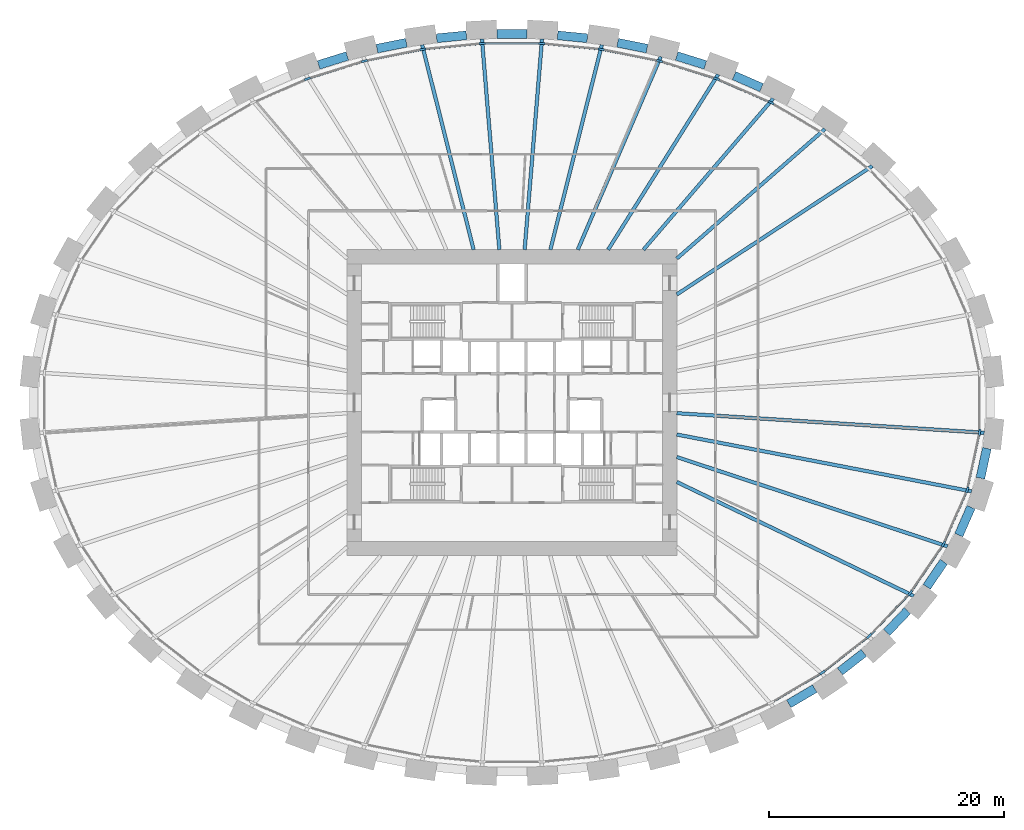
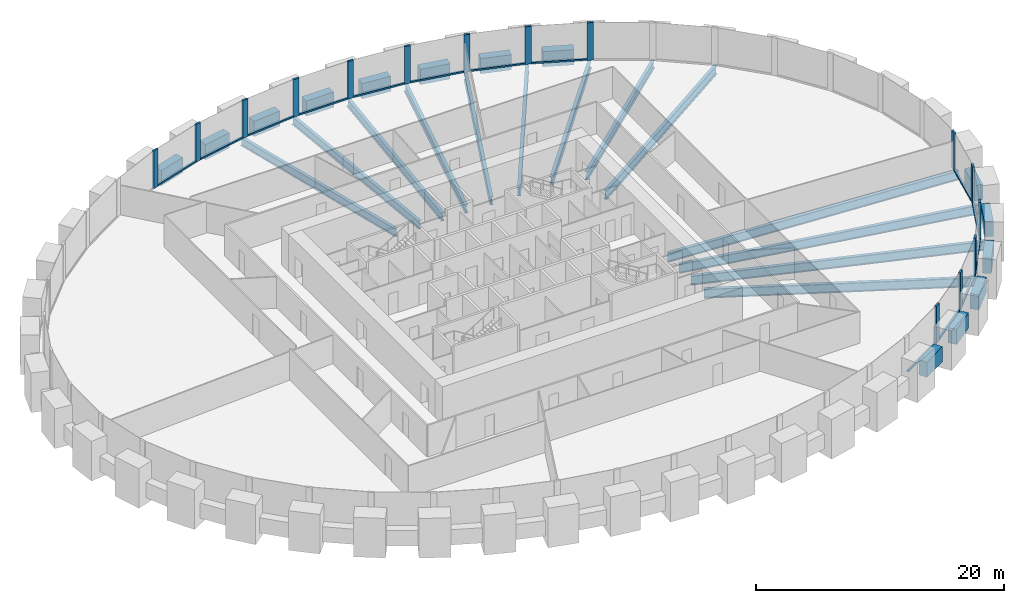
# One storey, part 3 of 10: 29 members, 27 beams, 1 element without a shape of its own.
"""IFC4 building model written with IfcOpenShell, lengths in metres."""

from ifc_helpers import new_model, si_unit, direction, frame, origin, origin_2d, place, context, subcontext, project, spatial, rectangle, i_section, extrude, source, transform, mapped, material, material_profile, profile_set, type_object, element, aggregate, save


model = new_model("IFC4")

# Units and contexts
model_context = context("Model", 3, precision=1e-05, world=origin(), true_north=direction((0.0, 1.0)))
body_context = subcontext(model_context, "Body", "Model", "MODEL_VIEW")
ifc_project = project(units=[si_unit("LENGTHUNIT", "METRE"), si_unit("AREAUNIT", "SQUARE_METRE"), si_unit("VOLUMEUNIT", "CUBIC_METRE"), si_unit("PLANEANGLEUNIT", "RADIAN"), si_unit("MASSUNIT", "GRAM", prefix="KILO")], contexts=[model_context])

# Site, building, storey
site_placement = place(None, origin())
site = spatial("IfcSite", under=ifc_project, at=site_placement, CompositionType="ELEMENT")
building_placement = place(site_placement, origin())
building = spatial("IfcBuilding", under=site, at=building_placement, Name="Embergate Tower", CompositionType="ELEMENT")
storey_placement = place(building_placement, frame((0.0, 0.0, 81.5)))
storey = spatial("IfcBuildingStorey", under=building, at=storey_placement, Name="L16", CompositionType="ELEMENT", Elevation=81.5)

# Beams
ifc_material_1 = material(Name="Concrete C70", Category="concrete")
ifc_material_profile_1 = material_profile(ifc_material_1, rectangle(XDim=0.75, YDim=1.5, at=origin_2d()), Name="RC 750x1500")
ifc_profile_set_1 = profile_set([ifc_material_profile_1], Name="Concrete C70")
beam_type_1 = type_object("IfcBeamType", Name="Spandrel beam RC 750x1500 C70", PredefinedType="BEAM", material=ifc_profile_set_1)
shared_shape_1 = source(origin(), body_context, "Body", "SweptSolid", [
    extrude(rectangle(XDim=0.75, YDim=1.5, at=origin_2d()), origin(), (0.0, 0.0, 1.0), 2.5869140625),
])
beam_1_placement = place(storey_placement, frame((39.799072265625, -6.408935546875, 0.0), z_axis=(0.210270227171, 0.977643304874, 0.0), x_axis=(-0.977643304874, 0.210270227171, 0.0)))
element("IfcBeam", 1, at=beam_1_placement, inside=storey, type_object=beam_type_1, Name="SPN-L16-42", PredefinedType="BEAM", context=body_context, shape_type="MappedRepresentation", body=[
    mapped(shared_shape_1, transform((0.0, 0.0, 0.0))),
])
shared_shape_2 = source(origin(), body_context, "Body", "SweptSolid", [
    extrude(rectangle(XDim=0.75, YDim=1.5, at=origin_2d()), origin(), (0.0, 0.0, 1.0), 2.583251953125),
])
beam_2_placement = place(storey_placement, frame((37.9619140625, -11.2490234375, 0.0), z_axis=(0.401468201792, 0.915872962233, 0.0), x_axis=(-0.915872962233, 0.401468201792, 0.0)))
element("IfcBeam", 2, at=beam_2_placement, inside=storey, type_object=beam_type_1, Name="SPN-L16-41", PredefinedType="BEAM", context=body_context, shape_type="MappedRepresentation", body=[
    mapped(shared_shape_2, transform((0.0, 0.0, 0.0))),
])
shared_shape_3 = source(origin(), body_context, "Body", "SweptSolid", [
    extrude(rectangle(XDim=0.75, YDim=1.5, at=origin_2d()), origin(), (0.0, 0.0, 1.0), 2.574951171875),
])
beam_3_placement = place(storey_placement, frame((35.238037109375, -15.64306640625, 0.0), z_axis=(0.562356702599, 0.826894756932, 0.0), x_axis=(-0.826894756932, 0.562356702599, 0.0)))
element("IfcBeam", 3, at=beam_3_placement, inside=storey, type_object=beam_type_1, Name="SPN-L16-40", PredefinedType="BEAM", context=body_context, shape_type="MappedRepresentation", body=[
    mapped(shared_shape_3, transform((0.0, 0.0, 0.0))),
])
shared_shape_4 = source(origin(), body_context, "Body", "SweptSolid", [
    extrude(rectangle(XDim=0.75, YDim=1.5, at=origin_2d()), origin(), (0.0, 0.0, 1.0), 2.568115234375),
])
beam_4_placement = place(storey_placement, frame((31.83203125, -19.52392578125, 0.0), z_axis=(0.68998268655, 0.723825871506, 0.0), x_axis=(-0.723825871506, 0.68998268655, 0.0)))
element("IfcBeam", 4, at=beam_4_placement, inside=storey, type_object=beam_type_1, Name="SPN-L16-39", PredefinedType="BEAM", context=body_context, shape_type="MappedRepresentation", body=[
    mapped(shared_shape_4, transform((0.0, 0.0, 0.0))),
])
shared_shape_5 = source(origin(), body_context, "Body", "SweptSolid", [
    extrude(rectangle(XDim=0.75, YDim=1.5, at=origin_2d()), origin(), (0.0, 0.0, 1.0), 2.560791015625),
])
beam_5_placement = place(storey_placement, frame((27.8720703125, -22.8291015625, 0.0), z_axis=(0.788437573921, 0.615114779557, 0.0), x_axis=(-0.615114779557, 0.788437573921, 0.0)))
element("IfcBeam", 5, at=beam_5_placement, inside=storey, type_object=beam_type_1, Name="SPN-L16-38", PredefinedType="BEAM", context=body_context, shape_type="MappedRepresentation", body=[
    mapped(shared_shape_5, transform((0.0, 0.0, 0.0))),
])
shared_shape_6 = source(origin(), body_context, "Body", "SweptSolid", [
    extrude(rectangle(XDim=0.75, YDim=1.5, at=origin_2d()), origin(), (0.0, 0.0, 1.0), 2.55517578125),
])
beam_6_placement = place(storey_placement, frame((23.51904296875, -25.5859375, 0.0), z_axis=(0.862086455961, 0.506761228241, 0.0), x_axis=(-0.506761228241, 0.862086455961, 0.0)))
element("IfcBeam", 6, at=beam_6_placement, inside=storey, type_object=beam_type_1, Name="SPN-L16-37", PredefinedType="BEAM", context=body_context, shape_type="MappedRepresentation", body=[
    mapped(shared_shape_6, transform((0.0, 0.0, 0.0))),
])
shared_shape_7 = source(origin(), body_context, "Body", "SweptSolid", [
    extrude(rectangle(XDim=0.75, YDim=1.5, at=origin_2d()), origin(), (0.0, 0.0, 1.0), 2.552001953125),
])
beam_7_placement = place(storey_placement, frame((21.202880859375, 26.76806640625, 0.0), z_axis=(-0.916139768309, 0.400858983836, 0.0), x_axis=(-0.400858983836, -0.916139768309, 0.0)))
element("IfcBeam", 7, at=beam_7_placement, inside=storey, type_object=beam_type_1, Name="SPN-L16-06", PredefinedType="BEAM", context=body_context, shape_type="MappedRepresentation", body=[
    mapped(shared_shape_7, transform((0.0, 0.0, 0.0))),
])
shared_shape_8 = source(origin(), body_context, "Body", "SweptSolid", [
    extrude(rectangle(XDim=0.75, YDim=1.5, at=origin_2d()), origin(), (0.0, 0.0, 1.0), 2.55029296875),
])
for number, where, z_axis, x_axis, name in (
    (8, (16.428955078125, 28.699951171875, 0.0), (-0.954803055826, 0.297239170678, 0.0), (-0.297239170678, -0.954803055826, 0.0), "SPN-L16-07"),
    (9, (-13.993896484375, 29.4580078125, 0.0), (-0.954803055826, -0.297239170678, 0.0), (0.297239170678, -0.954803055826, 0.0), "SPN-L16-13"),
):
    element("IfcBeam", number, at=place(storey_placement, frame(where, z_axis=z_axis, x_axis=x_axis)), inside=storey, type_object=beam_type_1, Name=name, PredefinedType="BEAM", context=body_context, shape_type="MappedRepresentation", body=[
        mapped(shared_shape_8, transform((0.0, 0.0, 0.0))),
    ])
shared_shape_9 = source(origin(), body_context, "Body", "SweptSolid", [
    extrude(rectangle(XDim=0.75, YDim=1.5, at=origin_2d()), origin(), (0.0, 0.0, 1.0), 2.546875),
])
for number, where, z_axis, x_axis, name in (
    (10, (11.469970703125, 30.0810546875, 0.0), (-0.980462515934, 0.196706011214, 0.0), (-0.196706011214, -0.980462515934, 0.0), "SPN-L16-08"),
    (11, (-8.972900390625, 30.58203125, 0.0), (-0.980462515934, -0.196706011214, 0.0), (0.196706011214, -0.980462515934, 0.0), "SPN-L16-12"),
):
    element("IfcBeam", number, at=place(storey_placement, frame(where, z_axis=z_axis, x_axis=x_axis)), inside=storey, type_object=beam_type_1, Name=name, PredefinedType="BEAM", context=body_context, shape_type="MappedRepresentation", body=[
        mapped(shared_shape_9, transform((0.0, 0.0, 0.0))),
    ])
shared_shape_10 = source(origin(), body_context, "Body", "SweptSolid", [
    extrude(rectangle(XDim=0.75, YDim=1.5, at=origin_2d()), origin(), (0.0, 0.0, 1.0), 2.544189453125),
])
for number, where, z_axis, x_axis, name in (
    (12, (6.402099609375, 30.966064453125, 0.0), (-0.995198330328, 0.097878921698, 0.0), (-0.097878921698, -0.995198330328, 0.0), "SPN-L16-09"),
    (13, (-3.8701171875, 31.215087890625, 0.0), (-0.995198330328, -0.097878921698, 0.0), (0.097878921698, -0.995198330328, 0.0), "SPN-L16-11"),
):
    element("IfcBeam", number, at=place(storey_placement, frame(where, z_axis=z_axis, x_axis=x_axis)), inside=storey, type_object=beam_type_1, Name=name, PredefinedType="BEAM", context=body_context, shape_type="MappedRepresentation", body=[
        mapped(shared_shape_10, transform((0.0, 0.0, 0.0))),
    ])
shared_shape_11 = source(origin(), body_context, "Body", "SweptSolid", [
    extrude(rectangle(XDim=0.75, YDim=1.5, at=origin_2d()), origin(), (0.0, 0.0, 1.0), 2.5458984375),
])
beam_8_placement = place(storey_placement, frame((1.27294921875, 31.342041015625, 0.0), z_axis=(-1.0, 0.0, 0.0), x_axis=(0.0, -1.0, 0.0)))
element("IfcBeam", 14, at=beam_8_placement, inside=storey, type_object=beam_type_1, Name="SPN-L16-10", PredefinedType="BEAM", context=body_context, shape_type="MappedRepresentation", body=[
    mapped(shared_shape_11, transform((0.0, 0.0, 0.0))),
])
ifc_material_2 = material(Name="Steel Q355B", Category="steel")
ifc_material_profile_2 = material_profile(ifc_material_2, i_section(OverallWidth=0.300048828125, OverallDepth=0.89990234375, WebThickness=0.01611328125, FlangeThickness=0.028076171875, FilletRadius=0.028076171875, at=origin_2d()), Name="HN 900x300x16x28")
ifc_profile_set_2 = profile_set([ifc_material_profile_2], Name="Steel Q355 grade B")
beam_type_2 = type_object("IfcBeamType", Name="Radial girder HN 900x300x16x28", PredefinedType="BEAM", material=ifc_profile_set_2)
shared_shape_12 = source(origin(), body_context, "Body", "SweptSolid", [
    extrude(i_section(OverallWidth=0.300048828125, OverallDepth=0.89990234375, WebThickness=0.01611328125, FlangeThickness=0.028076171875, FilletRadius=0.028076171875, at=origin_2d()), origin(), (0.0, 0.0, 1.0), 26.17578125),
])
beam_9_placement = place(storey_placement, frame((40.123046875, -2.549072265625, -0.64990234375), z_axis=(-0.997989066798, 0.063386296243, 0.0), x_axis=(-0.063386296243, -0.997989066798, 0.0)))
element("IfcBeam", 15, at=beam_9_placement, inside=storey, type_object=beam_type_2, Name="GIR-L16-43", PredefinedType="BEAM", context=body_context, shape_type="MappedRepresentation", body=[
    mapped(shared_shape_12, transform((0.0, 0.0, 0.0))),
])
shared_shape_13 = source(origin(), body_context, "Body", "SweptSolid", [
    extrude(i_section(OverallWidth=0.300048828125, OverallDepth=0.89990234375, WebThickness=0.01611328125, FlangeThickness=0.028076171875, FilletRadius=0.028076171875, at=origin_2d()), origin(), (0.0, 0.0, 1.0), 25.5126953125),
])
beam_10_placement = place(storey_placement, frame((39.051025390625, -7.532958984375, -0.64990234375), z_axis=(-0.981900703084, 0.189396434187, 0.0), x_axis=(-0.189396434187, -0.981900703084, 0.0)))
element("IfcBeam", 16, at=beam_10_placement, inside=storey, type_object=beam_type_2, Name="GIR-L16-42", PredefinedType="BEAM", context=body_context, shape_type="MappedRepresentation", body=[
    mapped(shared_shape_13, transform((0.0, 0.0, 0.0))),
])
shared_shape_14 = source(origin(), body_context, "Body", "SweptSolid", [
    extrude(i_section(OverallWidth=0.300048828125, OverallDepth=0.89990234375, WebThickness=0.01611328125, FlangeThickness=0.028076171875, FilletRadius=0.028076171875, at=origin_2d()), origin(), (0.0, 0.0, 1.0), 24.221435546875),
])
beam_11_placement = place(storey_placement, frame((37.0029296875, -12.202880859375, -0.64990234375), z_axis=(-0.949690422, 0.313190201575, 0.0), x_axis=(-0.313190201575, -0.949690422, 0.0)))
element("IfcBeam", 17, at=beam_11_placement, inside=storey, type_object=beam_type_2, Name="GIR-L16-41", PredefinedType="BEAM", context=body_context, shape_type="MappedRepresentation", body=[
    mapped(shared_shape_14, transform((0.0, 0.0, 0.0))),
])
shared_shape_15 = source(origin(), body_context, "Body", "SweptSolid", [
    extrude(i_section(OverallWidth=0.300048828125, OverallDepth=0.89990234375, WebThickness=0.01611328125, FlangeThickness=0.028076171875, FilletRadius=0.028076171875, at=origin_2d()), origin(), (0.0, 0.0, 1.0), 22.343505859375),
])
beam_12_placement = place(storey_placement, frame((34.135009765625, -16.4208984375, -0.64990234375), z_axis=(-0.901156313857, 0.433494288308, 0.0), x_axis=(-0.433494288308, -0.901156313857, 0.0)))
element("IfcBeam", 18, at=beam_12_placement, inside=storey, type_object=beam_type_2, Name="GIR-L16-40", PredefinedType="BEAM", context=body_context, shape_type="MappedRepresentation", body=[
    mapped(shared_shape_15, transform((0.0, 0.0, 0.0))),
])
shared_shape_16 = source(origin(), body_context, "Body", "SweptSolid", [
    extrude(i_section(OverallWidth=0.300048828125, OverallDepth=0.89990234375, WebThickness=0.01611328125, FlangeThickness=0.028076171875, FilletRadius=0.028076171875, at=origin_2d()), origin(), (0.0, 0.0, 1.0), 19.8779296875),
])
beam_13_placement = place(storey_placement, frame((30.613037109375, 20.113037109375, -0.64990234375), z_axis=(-0.835753953274, -0.549104115434, 0.0), x_axis=(0.549104115434, -0.835753953274, 0.0)))
element("IfcBeam", 19, at=beam_13_placement, inside=storey, type_object=beam_type_2, Name="GIR-L16-04", PredefinedType="BEAM", context=body_context, shape_type="MappedRepresentation", body=[
    mapped(shared_shape_16, transform((0.0, 0.0, 0.0))),
])
ifc_material_profile_3 = material_profile(ifc_material_2, i_section(OverallWidth=0.300048828125, OverallDepth=0.800048828125, WebThickness=0.013916015625, FlangeThickness=0.02587890625, FilletRadius=0.028076171875, at=origin_2d()), Name="HN 800x300x14x26")
ifc_profile_set_3 = profile_set([ifc_material_profile_3], Name="Steel Q355 grade B")
beam_type_3 = type_object("IfcBeamType", Name="Radial girder HN 800x300x14x26", PredefinedType="BEAM", material=ifc_profile_set_3)
shared_shape_17 = source(origin(), body_context, "Body", "SweptSolid", [
    extrude(i_section(OverallWidth=0.300048828125, OverallDepth=0.800048828125, WebThickness=0.013916015625, FlangeThickness=0.02587890625, FilletRadius=0.028076171875, at=origin_2d()), origin(), (0.0, 0.0, 1.0), 16.72509765625),
])
beam_14_placement = place(storey_placement, frame((26.590087890625, 23.2529296875, -0.60009765625), z_axis=(-0.752763844536, -0.658290660999, 0.0), x_axis=(0.658290660999, -0.752763844536, 0.0)))
element("IfcBeam", 20, at=beam_14_placement, inside=storey, type_object=beam_type_3, Name="GIR-L16-05", PredefinedType="BEAM", context=body_context, shape_type="MappedRepresentation", body=[
    mapped(shared_shape_17, transform((0.0, 0.0, 0.0))),
])
shared_shape_18 = source(origin(), body_context, "Body", "SweptSolid", [
    extrude(i_section(OverallWidth=0.300048828125, OverallDepth=0.800048828125, WebThickness=0.013916015625, FlangeThickness=0.02587890625, FilletRadius=0.028076171875, at=origin_2d()), origin(), (0.0, 0.0, 1.0), 16.924560546875),
])
beam_15_placement = place(storey_placement, frame((22.18994140625, 25.840087890625, -0.60009765625), z_axis=(-0.651475377488, -0.758669778314, 0.0), x_axis=(0.758669778314, -0.651475377488, 0.0)))
element("IfcBeam", 21, at=beam_15_placement, inside=storey, type_object=beam_type_3, Name="GIR-L16-06", PredefinedType="BEAM", context=body_context, shape_type="MappedRepresentation", body=[
    mapped(shared_shape_18, transform((0.0, 0.0, 0.0))),
])
shared_shape_19 = source(origin(), body_context, "Body", "SweptSolid", [
    extrude(i_section(OverallWidth=0.300048828125, OverallDepth=0.800048828125, WebThickness=0.013916015625, FlangeThickness=0.02587890625, FilletRadius=0.028076171875, at=origin_2d()), origin(), (0.0, 0.0, 1.0), 17.578125),
])
beam_16_placement = place(storey_placement, frame((17.512939453125, 27.885986328125, -0.60009765625), z_axis=(-0.53184411478, -0.846842274319, 0.0), x_axis=(0.846842274319, -0.53184411478, 0.0)))
element("IfcBeam", 22, at=beam_16_placement, inside=storey, type_object=beam_type_3, Name="GIR-L16-07", PredefinedType="BEAM", context=body_context, shape_type="MappedRepresentation", body=[
    mapped(shared_shape_19, transform((0.0, 0.0, 0.0))),
])
shared_shape_20 = source(origin(), body_context, "Body", "SweptSolid", [
    extrude(i_section(OverallWidth=0.300048828125, OverallDepth=0.800048828125, WebThickness=0.013916015625, FlangeThickness=0.02587890625, FilletRadius=0.028076171875, at=origin_2d()), origin(), (0.0, 0.0, 1.0), 17.854248046875),
])
beam_17_placement = place(storey_placement, frame((12.638916015625, 29.403076171875, -0.60009765625), z_axis=(-0.394919154383, -0.918715876374, 0.0), x_axis=(0.918715876374, -0.394919154383, 0.0)))
element("IfcBeam", 23, at=beam_17_placement, inside=storey, type_object=beam_type_3, Name="GIR-L16-08", PredefinedType="BEAM", context=body_context, shape_type="MappedRepresentation", body=[
    mapped(shared_shape_20, transform((0.0, 0.0, 0.0))),
])
shared_shape_21 = source(origin(), body_context, "Body", "SweptSolid", [
    extrude(i_section(OverallWidth=0.300048828125, OverallDepth=0.800048828125, WebThickness=0.013916015625, FlangeThickness=0.02587890625, FilletRadius=0.028076171875, at=origin_2d()), origin(), (0.0, 0.0, 1.0), 17.947265625),
])
for number, where, z_axis, x_axis, name in (
    (24, (7.633056640625, 30.406982421875, -0.60009765625), (-0.243498938638, -0.969901163461, 0.0), (0.969901163461, -0.243498938638, 0.0), "GIR-L16-09"),
    (25, (-7.633056640625, 30.406982421875, -0.60009765625), (0.243498938638, -0.969901163461, 0.0), (0.969901163461, 0.243498938638, 0.0), "GIR-L16-12"),
):
    element("IfcBeam", number, at=place(storey_placement, frame(where, z_axis=z_axis, x_axis=x_axis)), inside=storey, type_object=beam_type_3, Name=name, PredefinedType="BEAM", context=body_context, shape_type="MappedRepresentation", body=[
        mapped(shared_shape_21, transform((0.0, 0.0, 0.0))),
    ])
shared_shape_22 = source(origin(), body_context, "Body", "SweptSolid", [
    extrude(i_section(OverallWidth=0.300048828125, OverallDepth=0.800048828125, WebThickness=0.013916015625, FlangeThickness=0.02587890625, FilletRadius=0.028076171875, at=origin_2d()), origin(), (0.0, 0.0, 1.0), 17.968017578125),
])
for number, where, z_axis, x_axis, name in (
    (26, (2.552978515625, 30.906982421875, -0.60009765625), (-0.082313416138, -0.996606492816, 0.0), (0.996606492816, -0.082313416138, 0.0), "GIR-L16-10"),
    (27, (-2.552978515625, 30.906982421875, -0.60009765625), (0.082313416138, -0.996606492816, 0.0), (0.996606492816, 0.082313416138, 0.0), "GIR-L16-11"),
):
    element("IfcBeam", number, at=place(storey_placement, frame(where, z_axis=z_axis, x_axis=x_axis)), inside=storey, type_object=beam_type_3, Name=name, PredefinedType="BEAM", context=body_context, shape_type="MappedRepresentation", body=[
        mapped(shared_shape_22, transform((0.0, 0.0, 0.0))),
    ])

# Curtain wall, members
ifc_material_3 = material(Name="Aluminium and glass", Category="aluminium")
curtain_wall_type = type_object("IfcCurtainWallType", Name="Recessed office glazing", PredefinedType="NOTDEFINED", material=ifc_material_3)
curtain_wall_placement = place(storey_placement, origin())
curtain_wall = element("IfcCurtainWall", 28, at=curtain_wall_placement, inside=storey, type_object=curtain_wall_type, Name="Recessed office glazing ring", ObjectType="RECESSED OFFICE GLAZING", PredefinedType="USERDEFINED")
ifc_material_4 = material(Name="Aluminium, thermally broken", Category="aluminium")
ifc_material_profile_4 = material_profile(ifc_material_4, rectangle(XDim=0.179931640625, YDim=0.52001953125, at=origin_2d()), Name="AL 520x180")
ifc_profile_set_4 = profile_set([ifc_material_profile_4], Name="Aluminium, thermally broken")
member_type_1 = type_object("IfcMemberType", Name="Office mullion", PredefinedType="MULLION", material=ifc_profile_set_4)
shared_shape_23 = source(origin(), body_context, "Body", "SweptSolid", [
    extrude(rectangle(XDim=0.179931640625, YDim=0.52001953125, at=origin_2d()), origin(), (0.0, 0.0, 1.0), 3.699951171875),
])
member_1_placement = place(storey_placement, frame((22.013427734375, 25.49267578125, 0.0), z_axis=(0.0, 0.0, 1.0), x_axis=(-0.454511380526, -0.890740930334, 0.0)))
member_1 = element("IfcMember", 29, at=member_1_placement, type_object=member_type_1, Name="CW mullion 7", PredefinedType="MULLION", context=body_context, shape_type="MappedRepresentation", body=[
    mapped(shared_shape_23, transform((0.0, 0.0, 0.0))),
])
member_2_placement = place(storey_placement, frame((17.377197265625, 27.519775390625, 0.0), z_axis=(0.0, 0.0, 1.0), x_axis=(-0.349502682851, -0.936935363128, 0.0)))
member_2 = element("IfcMember", 30, at=member_2_placement, type_object=member_type_1, Name="CW mullion 8", PredefinedType="MULLION", context=body_context, shape_type="MappedRepresentation", body=[
    mapped(shared_shape_23, transform((0.0, 0.0, 0.0))),
])
member_3_placement = place(storey_placement, frame((12.54296875, 29.025390625, 0.0), z_axis=(0.0, 0.0, 1.0), x_axis=(-0.24731188137, -0.968935928394, 0.0)))
member_3 = element("IfcMember", 31, at=member_3_placement, type_object=member_type_1, Name="CW mullion 9", PredefinedType="MULLION", context=body_context, shape_type="MappedRepresentation", body=[
    mapped(shared_shape_23, transform((0.0, 0.0, 0.0))),
])
member_4_placement = place(storey_placement, frame((7.576171875, 30.021484375, 0.0), z_axis=(0.0, 0.0, 1.0), x_axis=(-0.147412382818, -0.989075118174, 0.0)))
member_4 = element("IfcMember", 32, at=member_4_placement, type_object=member_type_1, Name="CW mullion 10", PredefinedType="MULLION", context=body_context, shape_type="MappedRepresentation", body=[
    mapped(shared_shape_23, transform((0.0, 0.0, 0.0))),
])
member_5_placement = place(storey_placement, frame((2.53369140625, 30.51708984375, 0.0), z_axis=(0.0, 0.0, 1.0), x_axis=(-0.048971796621, -0.998800161762, 0.0)))
member_5 = element("IfcMember", 33, at=member_5_placement, type_object=member_type_1, Name="CW mullion 11", PredefinedType="MULLION", context=body_context, shape_type="MappedRepresentation", body=[
    mapped(shared_shape_23, transform((0.0, 0.0, 0.0))),
])
member_6_placement = place(storey_placement, frame((-2.53369140625, 30.51708984375, 0.0), z_axis=(0.0, 0.0, 1.0), x_axis=(0.048971796621, -0.998800161762, 0.0)))
member_6 = element("IfcMember", 34, at=member_6_placement, type_object=member_type_1, Name="CW mullion 12", PredefinedType="MULLION", context=body_context, shape_type="MappedRepresentation", body=[
    mapped(shared_shape_23, transform((0.0, 0.0, 0.0))),
])
member_7_placement = place(storey_placement, frame((-7.576171875, 30.021484375, 0.0), z_axis=(0.0, 0.0, 1.0), x_axis=(0.147412382818, -0.989075118174, 0.0)))
member_7 = element("IfcMember", 35, at=member_7_placement, type_object=member_type_1, Name="CW mullion 13", PredefinedType="MULLION", context=body_context, shape_type="MappedRepresentation", body=[
    mapped(shared_shape_23, transform((0.0, 0.0, 0.0))),
])
member_8_placement = place(storey_placement, frame((-12.54296875, 29.025390625, 0.0), z_axis=(0.0, 0.0, 1.0), x_axis=(0.24731188137, -0.968935928394, 0.0)))
member_8 = element("IfcMember", 36, at=member_8_placement, type_object=member_type_1, Name="CW mullion 14", PredefinedType="MULLION", context=body_context, shape_type="MappedRepresentation", body=[
    mapped(shared_shape_23, transform((0.0, 0.0, 0.0))),
])
member_9_placement = place(storey_placement, frame((-17.377197265625, 27.519775390625, 0.0), z_axis=(0.0, 0.0, 1.0), x_axis=(0.349502682851, -0.936935363128, 0.0)))
member_9 = element("IfcMember", 37, at=member_9_placement, type_object=member_type_1, Name="CW mullion 15", PredefinedType="MULLION", context=body_context, shape_type="MappedRepresentation", body=[
    mapped(shared_shape_23, transform((0.0, 0.0, 0.0))),
])
member_10_placement = place(storey_placement, frame((26.37158203125, -22.930419921875, 0.0), z_axis=(0.0, 0.0, 1.0), x_axis=(-0.562217618544, 0.826989328467, 0.0)))
member_10 = element("IfcMember", 38, at=member_10_placement, type_object=member_type_1, Name="CW mullion 39", PredefinedType="MULLION", context=body_context, shape_type="MappedRepresentation", body=[
    mapped(shared_shape_23, transform((0.0, 0.0, 0.0))),
])
member_11_placement = place(storey_placement, frame((30.352294921875, -19.823486328125, 0.0), z_axis=(0.0, 0.0, 1.0), x_axis=(-0.671229121411, 0.741249935292, 0.0)))
member_11 = element("IfcMember", 39, at=member_11_placement, type_object=member_type_1, Name="CW mullion 40", PredefinedType="MULLION", context=body_context, shape_type="MappedRepresentation", body=[
    mapped(shared_shape_23, transform((0.0, 0.0, 0.0))),
])
member_12_placement = place(storey_placement, frame((33.831787109375, -16.1748046875, 0.0), z_axis=(0.0, 0.0, 1.0), x_axis=(-0.777875854755, 0.628417977615, 0.0)))
member_12 = element("IfcMember", 40, at=member_12_placement, type_object=member_type_1, Name="CW mullion 41", PredefinedType="MULLION", context=body_context, shape_type="MappedRepresentation", body=[
    mapped(shared_shape_23, transform((0.0, 0.0, 0.0))),
])
member_13_placement = place(storey_placement, frame((36.662109375, -12.012939453125, 0.0), z_axis=(0.0, 0.0, 1.0), x_axis=(-0.875005275602, 0.484113383071, 0.0)))
member_13 = element("IfcMember", 41, at=member_13_placement, type_object=member_type_1, Name="CW mullion 42", PredefinedType="MULLION", context=body_context, shape_type="MappedRepresentation", body=[
    mapped(shared_shape_23, transform((0.0, 0.0, 0.0))),
])
member_14_placement = place(storey_placement, frame((38.68017578125, -7.412109375, 0.0), z_axis=(0.0, 0.0, 1.0), x_axis=(-0.95149940886, 0.307650572791, 0.0)))
member_14 = element("IfcMember", 42, at=member_14_placement, type_object=member_type_1, Name="CW mullion 43", PredefinedType="MULLION", context=body_context, shape_type="MappedRepresentation", body=[
    mapped(shared_shape_23, transform((0.0, 0.0, 0.0))),
])
member_15_placement = place(storey_placement, frame((39.735595703125, -2.507080078125, 0.0), z_axis=(0.0, 0.0, 1.0), x_axis=(-0.994385139431, 0.105821521816, 0.0)))
member_15 = element("IfcMember", 43, at=member_15_placement, type_object=member_type_1, Name="CW mullion 44", PredefinedType="MULLION", context=body_context, shape_type="MappedRepresentation", body=[
    mapped(shared_shape_23, transform((0.0, 0.0, 0.0))),
])
ifc_material_profile_5 = material_profile(ifc_material_4, rectangle(XDim=0.179931640625, YDim=0.14990234375, at=origin_2d()), Name="AL 150x180")
ifc_profile_set_5 = profile_set([ifc_material_profile_5], Name="Aluminium, thermally broken")
member_type_2 = type_object("IfcMemberType", Name="Office sill transom", PredefinedType="USERDEFINED", material=ifc_profile_set_5)
shared_shape_24 = source(origin(), body_context, "Body", "SweptSolid", [
    extrude(rectangle(XDim=0.179931640625, YDim=0.14990234375, at=origin_2d()), origin(), (0.0, 0.0, 1.0), 4.529296875),
])
member_16_placement = place(storey_placement, frame((26.57666015625, -22.7705078125, 0.074951171875), z_axis=(0.788306218653, 0.615283110148, 0.0), x_axis=(-0.615283110148, 0.788306218653, 0.0)))
member_16 = element("IfcMember", 44, at=member_16_placement, type_object=member_type_2, Name="CW transom 39.1", ObjectType="TRANSOM", PredefinedType="USERDEFINED", context=body_context, shape_type="MappedRepresentation", body=[
    mapped(shared_shape_24, transform((0.0, 0.0, 0.0))),
])
shared_shape_25 = source(origin(), body_context, "Body", "SweptSolid", [
    extrude(rectangle(XDim=0.179931640625, YDim=0.14990234375, at=origin_2d()), origin(), (0.0, 0.0, 1.0), 4.496826171875),
])
member_17_placement = place(storey_placement, frame((38.73486328125, -7.15771484375, 0.074951171875), z_axis=(0.210378069806, 0.977620104, 0.0), x_axis=(-0.977620104, 0.210378069806, 0.0)))
member_17 = element("IfcMember", 45, at=member_17_placement, type_object=member_type_2, Name="CW transom 43.1", ObjectType="TRANSOM", PredefinedType="USERDEFINED", context=body_context, shape_type="MappedRepresentation", body=[
    mapped(shared_shape_25, transform((0.0, 0.0, 0.0))),
])
shared_shape_26 = source(origin(), body_context, "Body", "SweptSolid", [
    extrude(rectangle(XDim=0.179931640625, YDim=0.14990234375, at=origin_2d()), origin(), (0.0, 0.0, 1.0), 4.504150390625),
])
member_18_placement = place(storey_placement, frame((36.7666015625, -11.77490234375, 0.074951171875), z_axis=(0.401657507377, 0.915789957778, 0.0), x_axis=(-0.915789957778, 0.401657507377, 0.0)))
member_18 = element("IfcMember", 46, at=member_18_placement, type_object=member_type_2, Name="CW transom 42.1", ObjectType="TRANSOM", PredefinedType="USERDEFINED", context=body_context, shape_type="MappedRepresentation", body=[
    mapped(shared_shape_26, transform((0.0, 0.0, 0.0))),
])
shared_shape_27 = source(origin(), body_context, "Body", "SweptSolid", [
    extrude(rectangle(XDim=0.179931640625, YDim=0.14990234375, at=origin_2d()), origin(), (0.0, 0.0, 1.0), 4.51318359375),
])
member_19_placement = place(storey_placement, frame((33.97802734375, -15.9599609375, 0.074951171875), z_axis=(0.562329256749, 0.82691342171, 0.0), x_axis=(-0.82691342171, 0.562329256749, 0.0)))
member_19 = element("IfcMember", 47, at=member_19_placement, type_object=member_type_2, Name="CW transom 41.1", ObjectType="TRANSOM", PredefinedType="USERDEFINED", context=body_context, shape_type="MappedRepresentation", body=[
    mapped(shared_shape_27, transform((0.0, 0.0, 0.0))),
])
shared_shape_28 = source(origin(), body_context, "Body", "SweptSolid", [
    extrude(rectangle(XDim=0.179931640625, YDim=0.14990234375, at=origin_2d()), origin(), (0.0, 0.0, 1.0), 4.52197265625),
])
member_20_placement = place(storey_placement, frame((30.531494140625, -19.635498046875, 0.074951171875), z_axis=(0.690144384651, 0.723671699277, 0.0), x_axis=(-0.723671699277, 0.690144384651, 0.0)))
member_20 = element("IfcMember", 48, at=member_20_placement, type_object=member_type_2, Name="CW transom 40.1", ObjectType="TRANSOM", PredefinedType="USERDEFINED", context=body_context, shape_type="MappedRepresentation", body=[
    mapped(shared_shape_28, transform((0.0, 0.0, 0.0))),
])
shared_shape_29 = source(origin(), body_context, "Body", "SweptSolid", [
    extrude(rectangle(XDim=0.179931640625, YDim=0.14990234375, at=origin_2d()), origin(), (0.0, 0.0, 1.0), 4.535400390625),
])
member_21_placement = place(storey_placement, frame((22.23779296875, -25.36083984375, 0.074951171875), z_axis=(0.862028298447, 0.506860151004, 0.0), x_axis=(-0.506860151004, 0.862028298447, 0.0)))
member_21 = element("IfcMember", 49, at=member_21_placement, type_object=member_type_2, Name="CW transom 38.1", ObjectType="TRANSOM", PredefinedType="USERDEFINED", context=body_context, shape_type="MappedRepresentation", body=[
    mapped(shared_shape_29, transform((0.0, 0.0, 0.0))),
])
shared_shape_30 = source(origin(), body_context, "Body", "SweptSolid", [
    extrude(rectangle(XDim=0.179931640625, YDim=0.14990234375, at=origin_2d()), origin(), (0.0, 0.0, 1.0), 4.540283203125),
])
member_22_placement = place(storey_placement, frame((21.775390625, 25.5966796875, 0.074951171875), z_axis=(-0.91622766565, 0.400658039601, 0.0), x_axis=(-0.400658039601, -0.91622766565, 0.0)))
member_22 = element("IfcMember", 50, at=member_22_placement, type_object=member_type_2, Name="CW transom 7.1", ObjectType="TRANSOM", PredefinedType="USERDEFINED", context=body_context, shape_type="MappedRepresentation", body=[
    mapped(shared_shape_30, transform((0.0, 0.0, 0.0))),
])
shared_shape_31 = source(origin(), body_context, "Body", "SweptSolid", [
    extrude(rectangle(XDim=0.179931640625, YDim=0.14990234375, at=origin_2d()), origin(), (0.0, 0.0, 1.0), 4.54345703125),
])
member_23_placement = place(storey_placement, frame((17.129150390625, 27.59716796875, 0.074951171875), z_axis=(-0.954777820435, 0.297320220648, 0.0), x_axis=(-0.297320220648, -0.954777820435, 0.0)))
member_23 = element("IfcMember", 51, at=member_23_placement, type_object=member_type_2, Name="CW transom 8.1", ObjectType="TRANSOM", PredefinedType="USERDEFINED", context=body_context, shape_type="MappedRepresentation", body=[
    mapped(shared_shape_31, transform((0.0, 0.0, 0.0))),
])
member_24_placement = place(storey_placement, frame((-12.791259765625, 28.947998046875, 0.074951171875), z_axis=(-0.954777820435, -0.297320220648, 0.0), x_axis=(0.297320220648, -0.954777820435, 0.0)))
member_24 = element("IfcMember", 52, at=member_24_placement, type_object=member_type_2, Name="CW transom 14.1", ObjectType="TRANSOM", PredefinedType="USERDEFINED", context=body_context, shape_type="MappedRepresentation", body=[
    mapped(shared_shape_31, transform((0.0, 0.0, 0.0))),
])
shared_shape_32 = source(origin(), body_context, "Body", "SweptSolid", [
    extrude(rectangle(XDim=0.179931640625, YDim=0.14990234375, at=origin_2d()), origin(), (0.0, 0.0, 1.0), 4.54541015625),
])
member_25_placement = place(storey_placement, frame((12.2880859375, 29.076416015625, 0.074951171875), z_axis=(-0.980477251105, 0.196632550879, 0.0), x_axis=(-0.196632550879, -0.980477251105, 0.0)))
member_25 = element("IfcMember", 53, at=member_25_placement, type_object=member_type_2, Name="CW transom 9.1", ObjectType="TRANSOM", PredefinedType="USERDEFINED", context=body_context, shape_type="MappedRepresentation", body=[
    mapped(shared_shape_32, transform((0.0, 0.0, 0.0))),
])
member_26_placement = place(storey_placement, frame((-7.831298828125, 29.97021484375, 0.074951171875), z_axis=(-0.980477251105, -0.196632550879, 0.0), x_axis=(0.196632550879, -0.980477251105, 0.0)))
member_26 = element("IfcMember", 54, at=member_26_placement, type_object=member_type_2, Name="CW transom 13.1", ObjectType="TRANSOM", PredefinedType="USERDEFINED", context=body_context, shape_type="MappedRepresentation", body=[
    mapped(shared_shape_32, transform((0.0, 0.0, 0.0))),
])
shared_shape_33 = source(origin(), body_context, "Body", "SweptSolid", [
    extrude(rectangle(XDim=0.179931640625, YDim=0.14990234375, at=origin_2d()), origin(), (0.0, 0.0, 1.0), 4.546630859375),
])
member_27_placement = place(storey_placement, frame((7.3173828125, 30.046875, 0.074951171875), z_axis=(-0.995202726131, 0.097834216414, 0.0), x_axis=(-0.097834216414, -0.995202726131, 0.0)))
member_27 = element("IfcMember", 55, at=member_27_placement, type_object=member_type_2, Name="CW transom 10.1", ObjectType="TRANSOM", PredefinedType="USERDEFINED", context=body_context, shape_type="MappedRepresentation", body=[
    mapped(shared_shape_33, transform((0.0, 0.0, 0.0))),
])
member_28_placement = place(storey_placement, frame((-2.79248046875, 30.49169921875, 0.074951171875), z_axis=(-0.995202726131, -0.097834216414, 0.0), x_axis=(0.097834216414, -0.995202726131, 0.0)))
member_28 = element("IfcMember", 56, at=member_28_placement, type_object=member_type_2, Name="CW transom 12.1", ObjectType="TRANSOM", PredefinedType="USERDEFINED", context=body_context, shape_type="MappedRepresentation", body=[
    mapped(shared_shape_33, transform((0.0, 0.0, 0.0))),
])
shared_shape_34 = source(origin(), body_context, "Body", "SweptSolid", [
    extrude(rectangle(XDim=0.179931640625, YDim=0.14990234375, at=origin_2d()), origin(), (0.0, 0.0, 1.0), 4.54736328125),
])
member_29_placement = place(storey_placement, frame((2.273681640625, 30.51708984375, 0.074951171875), z_axis=(-1.0, 0.0, 0.0), x_axis=(0.0, -1.0, 0.0)))
member_29 = element("IfcMember", 57, at=member_29_placement, type_object=member_type_2, Name="CW transom 11.1", ObjectType="TRANSOM", PredefinedType="USERDEFINED", context=body_context, shape_type="MappedRepresentation", body=[
    mapped(shared_shape_34, transform((0.0, 0.0, 0.0))),
])
aggregate(curtain_wall, [member_1, member_2, member_3, member_4, member_5, member_6, member_7, member_8, member_9, member_10, member_11, member_12, member_13, member_14, member_15, member_22, member_23, member_25, member_27, member_29, member_28, member_26, member_24, member_21, member_16, member_20, member_19, member_18, member_17])

save(model, "model.ifc")
